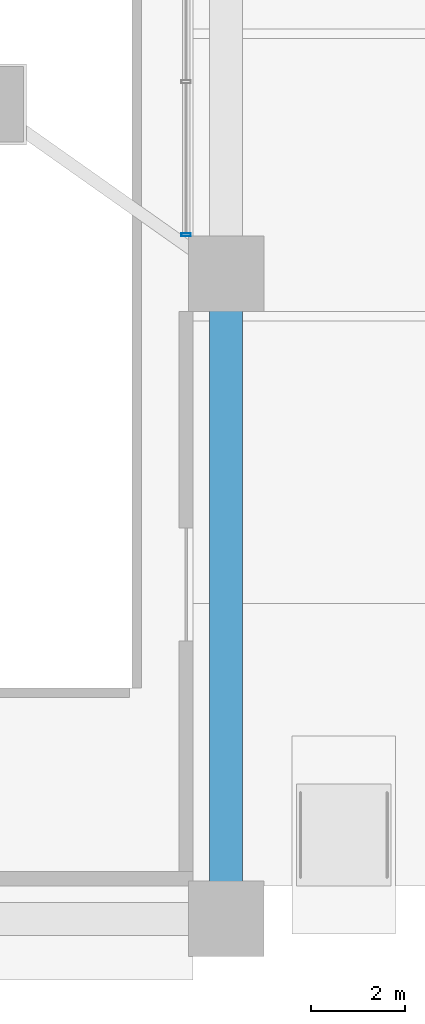
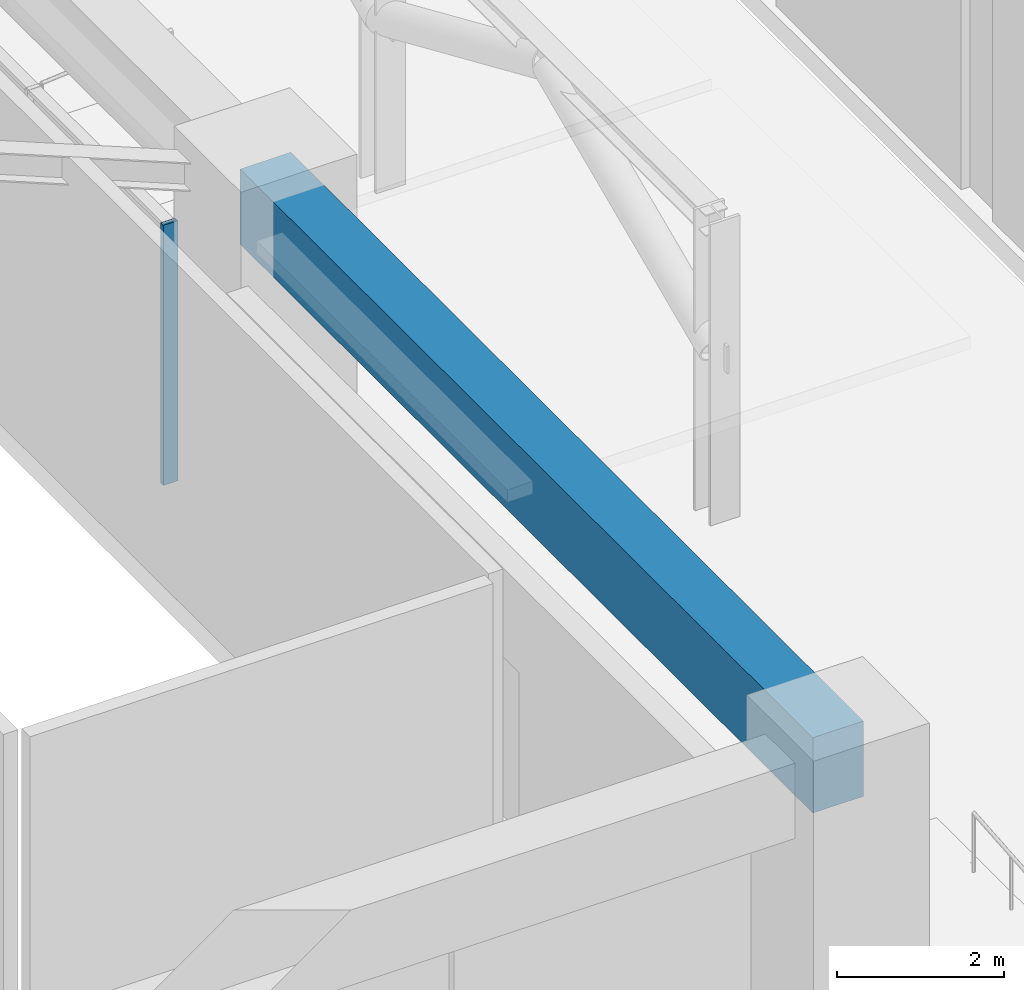
# One storey, part 10 of 27: 1 beam, 1 member, 1 element without a shape of its own.
"""IFC4 building model written with IfcOpenShell, lengths in metres."""

from ifc_helpers import new_model, si_unit, direction, frame, origin, origin_2d, place, context, subcontext, project, spatial, rectangle, hollow_rectangle, extrude, source, transform, mapped, material, layer, layer_set, material_profile, profile_set, type_object, element, aggregate, save


model = new_model("IFC4")

# Units and contexts
model_context = context("Model", 3, precision=1e-05, world=origin(), true_north=direction((0.0, 1.0)))
body_context = subcontext(model_context, "Body", "Model", "MODEL_VIEW")
ifc_project = project(units=[si_unit("LENGTHUNIT", "METRE"), si_unit("AREAUNIT", "SQUARE_METRE"), si_unit("VOLUMEUNIT", "CUBIC_METRE"), si_unit("PLANEANGLEUNIT", "RADIAN"), si_unit("MASSUNIT", "GRAM", prefix="KILO")], contexts=[model_context])

# Site, building, storey
site_placement = place(None, origin())
site = spatial("IfcSite", under=ifc_project, at=site_placement, CompositionType="ELEMENT")
building_placement = place(site_placement, origin())
building = spatial("IfcBuilding", under=site, at=building_placement, Name="Veraguas Prism Commons", CompositionType="ELEMENT")
storey_placement = place(building_placement, origin())
storey = spatial("IfcBuildingStorey", under=building, at=storey_placement, Name="L00", CompositionType="ELEMENT", Elevation=0.0)

# Beam
ifc_material_1 = material(Name="Concrete C50/60", Category="concrete")
ifc_material_profile_1 = material_profile(ifc_material_1, rectangle(XDim=0.699951171875, YDim=1.10009765625, at=origin_2d()), Name="RC700X1100")
ifc_profile_set_1 = profile_set([ifc_material_profile_1], Name="Concrete C50/60")
beam_type = type_object("IfcBeamType", Name="Podium Primary Girder RC 700x1100", PredefinedType="BEAM", material=ifc_profile_set_1)
beam_placement = place(storey_placement, frame((46.699951171875, 1.300048828125, 4.35009765625), z_axis=(0.0, 1.0, 0.0), x_axis=(-1.0, 0.0, 0.0)))
element("IfcBeam", 1, at=beam_placement, inside=storey, type_object=beam_type, Name="Podium Perimeter Girder L00-PDR05", PredefinedType="BEAM", context=body_context, shape_type="SweptSolid", body=[
    extrude(rectangle(XDim=0.699951171875, YDim=1.10009765625, at=origin_2d()), origin(), (0.0, 0.0, 1.0), 13.699951171875),
])

# Curtain wall, member
ifc_material_2 = material(Name="Anodised aluminium EN AW-6063 T6", Category="aluminium")
ifc_layer = layer(ifc_material_2, 0.199951171875, Name="Metro Concourse Structural Glazing", Category="aluminium")
ifc_layer_set = layer_set([ifc_layer], Name="Anodised aluminium EN AW-6063 T6")
curtain_wall_type = type_object("IfcCurtainWallType", Name="Metro Concourse Structural Glazing", PredefinedType="NOTDEFINED", material=ifc_layer_set)
curtain_wall_placement = place(storey_placement, origin())
curtain_wall = element("IfcCurtainWall", 2, at=curtain_wall_placement, inside=storey, type_object=curtain_wall_type, Name="Plaza Concourse Curtain Wall L00-E02", PredefinedType="NOTDEFINED")
ifc_material_profile_2 = material_profile(ifc_material_2, hollow_rectangle(XDim=0.06494140625, YDim=0.199951171875, WallThickness=0.00390625, at=origin_2d()), Name="AL65X200X4")
ifc_profile_set_2 = profile_set([ifc_material_profile_2], Name="Anodised aluminium EN AW-6063 T6")
member_type = type_object("IfcMemberType", Name="Curtain Wall Mullion Heavy AL 65x200x4", PredefinedType="MULLION", material=ifc_profile_set_2)
shared_shape = source(origin(), body_context, "Body", "SweptSolid", [
    extrude(hollow_rectangle(XDim=0.06494140625, YDim=0.199951171875, WallThickness=0.00390625, at=origin_2d()), origin(), (0.0, 0.0, 1.0), 3.800048828125),
])
member_placement = place(storey_placement, frame((45.85009765625, 15.83251953125, 0.0), z_axis=(0.0, 0.0, 1.0), x_axis=(0.0, 1.0, 0.0)))
member = element("IfcMember", 3, at=member_placement, type_object=member_type, Name="CW-STN Mullion 1", PredefinedType="MULLION", context=body_context, shape_type="MappedRepresentation", body=[
    mapped(shared_shape, transform((0.0, 0.0, 0.0), scale=1.0)),
])
aggregate(curtain_wall, [member])

save(model, "model.ifc")
